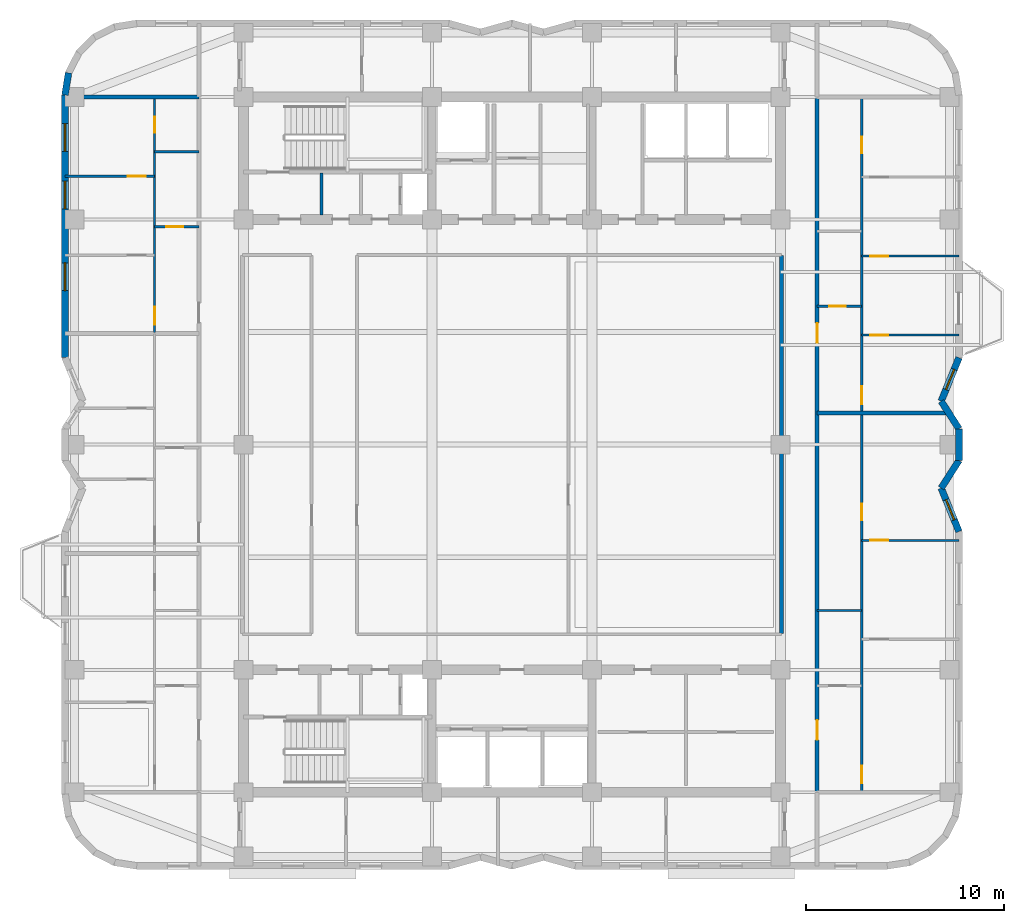
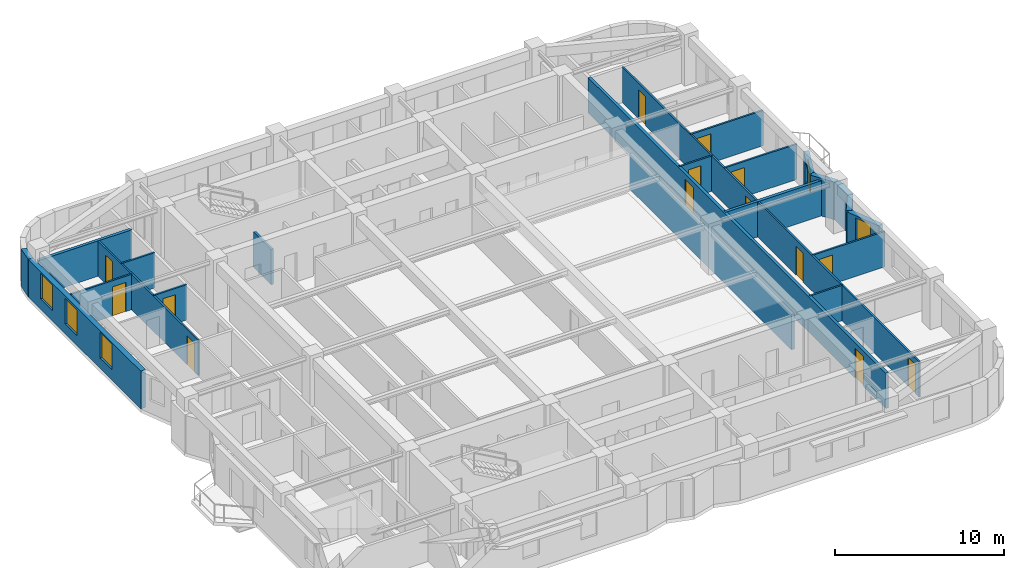
# One storey, part 5 of 9: 23 walls, 14 doors, 5 windows, 19 openings.
"""IFC4 building model written with IfcOpenShell, lengths in metres."""

from ifc_helpers import new_model, si_unit, direction, frame, frame_2d, origin, place, context, subcontext, project, spatial, rectangle, extrude, material, layer, layer_set, type_object, element, fill, save


model = new_model("IFC4")

# Units and contexts
model_context = context("Model", 3, precision=1e-05, world=origin(), true_north=direction((0.0, 1.0)))
body_context = subcontext(model_context, "Body", "Model", "MODEL_VIEW")
ifc_project = project(units=[si_unit("LENGTHUNIT", "METRE"), si_unit("AREAUNIT", "SQUARE_METRE"), si_unit("VOLUMEUNIT", "CUBIC_METRE"), si_unit("PLANEANGLEUNIT", "RADIAN"), si_unit("MASSUNIT", "GRAM", prefix="KILO")], contexts=[model_context])

# Site, building, storey
site_placement = place(None, origin())
site = spatial("IfcSite", under=ifc_project, at=site_placement, CompositionType="ELEMENT")
building_placement = place(site_placement, origin())
building = spatial("IfcBuilding", under=site, at=building_placement, Name="Svetorya Sky Lyceum", CompositionType="ELEMENT")
storey_placement = place(building_placement, frame((0.0, 0.0, 155.199951171875)))
storey = spatial("IfcBuildingStorey", under=building, at=storey_placement, Name="L38", CompositionType="ELEMENT", Elevation=155.199951171875)

# Wall, opening, window
ifc_material_1 = material(Name="Putilovo limestone rainscreen on autoclaved cellular masonry", Category="masonry")
ifc_layer_1 = layer(ifc_material_1, 0.340087890625)
ifc_layer_set_1 = layer_set([ifc_layer_1], Name="Putilovo limestone rainscreen on autoclaved cellular masonry")
wall_type_1 = type_object("IfcWallType", Name="WL-EXT-340", PredefinedType="SOLIDWALL", material=ifc_layer_set_1)
wall_1_placement = place(storey_placement, frame((61.830078125, 23.800048828125, 0.0), z_axis=(0.0, 0.0, 1.0), x_axis=(-0.378692835005, 0.925522412865, 0.0)))
wall_1 = element("IfcWall", 1, at=wall_1_placement, inside=storey, type_object=wall_type_1, Name="L38 Limestone Exterior Wall 18M", PredefinedType="SOLIDWALL", context=body_context, shape_type="SweptSolid", body=[
    extrude(rectangle(XDim=2.376953125, YDim=0.340087890625, at=frame_2d((1.1884765625, 0.0))), origin(), (0.0, 0.0, 1.0), 2.719970703125),
])
opening_1_placement = place(wall_1_placement, frame((0.638427734375, 0.0, 0.909912109375)))
opening_1 = element("IfcOpeningElement", 2, at=opening_1_placement, cuts=wall_1, Name="Opening W-R3", PredefinedType="OPENING", context=body_context, shape_type="SweptSolid", body=[
    extrude(rectangle(XDim=1.10009765625, YDim=1.64990234375, at=frame_2d((0.550048828125, 0.824951171875))), frame((0.0, 0.179931640625, 0.0), z_axis=(0.0, -1.0, 0.0), x_axis=(1.0, 0.0, 0.0)), (0.0, 0.0, 1.0), 0.360107421875),
])
ifc_material_2 = material(Name="Thermally broken aluminium frame with triple low-E glazing", Category="aluminium")
window_type_1 = type_object("IfcWindowType", Name="WN-RES-110", PartitioningType="SINGLE_PANEL", PredefinedType="WINDOW", material=ifc_material_2)
window_1_placement = place(opening_1_placement, origin())
window_1 = element("IfcWindow", 3, at=window_1_placement, inside=storey, type_object=window_type_1, Name="L38 Facade Window W-R3.18M.1", OverallHeight=1.64990234375, OverallWidth=1.10009765625, PartitioningType="SINGLE_PANEL", PredefinedType="WINDOW", context=body_context, shape_type="SweptSolid", body=[
    extrude(rectangle(XDim=1.10009765625, YDim=1.64990234375, at=frame_2d((0.550048828125, 0.824951171875))), frame((0.0, 0.030029296875, 0.0), z_axis=(0.0, -1.0, 0.0), x_axis=(1.0, 0.0, 0.0)), (0.0, 0.0, 1.0), 0.06005859375),
])
fill(opening_1, window_1)

# Walls
wall_2_placement = place(storey_placement, frame((60.929931640625, 26.0, 0.0), z_axis=(0.0, 0.0, 1.0), x_axis=(0.540846555596, 0.841121277403, 0.0)))
element("IfcWall", 4, at=wall_2_placement, inside=storey, type_object=wall_type_1, Name="L38 Limestone Exterior Wall 19M", PredefinedType="SOLIDWALL", context=body_context, shape_type="SweptSolid", body=[
    extrude(rectangle(XDim=1.664306640625, YDim=0.340087890625, at=frame_2d((0.83203125, 0.0))), origin(), (0.0, 0.0, 1.0), 2.719970703125),
])
wall_3_placement = place(storey_placement, frame((61.830078125, 27.39990234375, 0.0), z_axis=(0.0, 0.0, 1.0), x_axis=(0.0, 1.0, 0.0)))
element("IfcWall", 5, at=wall_3_placement, inside=storey, type_object=wall_type_1, Name="L38 Limestone Exterior Wall 20M", PredefinedType="SOLIDWALL", context=body_context, shape_type="SweptSolid", body=[
    extrude(rectangle(XDim=1.60009765625, YDim=0.340087890625, at=frame_2d((0.800048828125, 0.0))), origin(), (0.0, 0.0, 1.0), 2.719970703125),
])
wall_4_placement = place(storey_placement, frame((61.830078125, 29.0, 0.0), z_axis=(0.0, 0.0, 1.0), x_axis=(-0.540846555596, 0.841121277403, 0.0)))
element("IfcWall", 6, at=wall_4_placement, inside=storey, type_object=wall_type_1, Name="L38 Limestone Exterior Wall 21M", PredefinedType="SOLIDWALL", context=body_context, shape_type="SweptSolid", body=[
    extrude(rectangle(XDim=1.664306640625, YDim=0.340087890625, at=frame_2d((0.83203125, 0.0))), origin(), (0.0, 0.0, 1.0), 2.719970703125),
])

# Wall, opening, window
wall_5_placement = place(storey_placement, frame((60.929931640625, 30.39990234375, 0.0), z_axis=(0.0, 0.0, 1.0), x_axis=(0.378656839344, 0.925537140269, 0.0)))
wall_5 = element("IfcWall", 7, at=wall_5_placement, inside=storey, type_object=wall_type_1, Name="L38 Limestone Exterior Wall 22M", PredefinedType="SOLIDWALL", context=body_context, shape_type="SweptSolid", body=[
    extrude(rectangle(XDim=2.377197265625, YDim=0.340087890625, at=frame_2d((1.1884765625, 0.0))), origin(), (0.0, 0.0, 1.0), 2.719970703125),
])
opening_2_placement = place(wall_5_placement, frame((0.638427734375, 0.0, 0.909912109375)))
opening_2 = element("IfcOpeningElement", 8, at=opening_2_placement, cuts=wall_5, Name="Opening W-R3", PredefinedType="OPENING", context=body_context, shape_type="SweptSolid", body=[
    extrude(rectangle(XDim=1.10009765625, YDim=1.64990234375, at=frame_2d((0.550048828125, 0.824951171875))), frame((0.0, 0.179931640625, 0.0), z_axis=(0.0, -1.0, 0.0), x_axis=(1.0, 0.0, 0.0)), (0.0, 0.0, 1.0), 0.360107421875),
])
window_2_placement = place(opening_2_placement, origin())
window_2 = element("IfcWindow", 9, at=window_2_placement, inside=storey, type_object=window_type_1, Name="L38 Facade Window W-R3.22M.1", OverallHeight=1.64990234375, OverallWidth=1.10009765625, PartitioningType="SINGLE_PANEL", PredefinedType="WINDOW", context=body_context, shape_type="SweptSolid", body=[
    extrude(rectangle(XDim=1.10009765625, YDim=1.64990234375, at=frame_2d((0.550048828125, 0.824951171875))), frame((0.0, 0.030029296875, 0.0), z_axis=(0.0, -1.0, 0.0), x_axis=(1.0, 0.0, 0.0)), (0.0, 0.0, 1.0), 0.06005859375),
])
fill(opening_2, window_2)

# Wall
wall_6_placement = place(storey_placement, frame((16.747802734375, 47.021728515625, 0.0), z_axis=(0.0, 0.0, 1.0), x_axis=(-0.156481329164, -0.987680916907, 0.0)))
element("IfcWall", 10, at=wall_6_placement, inside=storey, type_object=wall_type_1, Name="L38 Limestone Exterior Wall 39M", PredefinedType="SOLIDWALL", context=body_context, shape_type="SweptSolid", body=[
    extrude(rectangle(XDim=1.1357421875, YDim=0.340087890625, at=frame_2d((0.56787109375, 0.0))), origin(), (0.0, 0.0, 1.0), 2.719970703125),
])

# Wall, openings, windows
wall_7_placement = place(storey_placement, frame((16.570068359375, 45.89990234375, 0.0), z_axis=(0.0, 0.0, 1.0), x_axis=(0.0, -1.0, 0.0)))
wall_7 = element("IfcWall", 11, at=wall_7_placement, inside=storey, type_object=wall_type_1, Name="L38 Limestone Exterior Wall 40M", PredefinedType="SOLIDWALL", context=body_context, shape_type="SweptSolid", body=[
    extrude(rectangle(XDim=13.2998046875, YDim=0.340087890625, at=frame_2d((6.64990234375, 0.0))), origin(), (0.0, 0.0, 1.0), 2.719970703125),
])
opening_3_placement = place(wall_7_placement, frame((1.449951171875, 0.0, 0.75)))
opening_3 = element("IfcOpeningElement", 12, at=opening_3_placement, cuts=wall_7, Name="Opening W-R2", PredefinedType="OPENING", context=body_context, shape_type="SweptSolid", body=[
    extrude(rectangle(XDim=1.39990234375, YDim=1.85009765625, at=frame_2d((0.699951171875, 0.925048828125))), frame((0.0, 0.179931640625, 0.0), z_axis=(0.0, -1.0, 0.0), x_axis=(1.0, 0.0, 0.0)), (0.0, 0.0, 1.0), 0.360107421875),
])
opening_4_placement = place(wall_7_placement, frame((4.360107421875, 0.0, 0.7099609375)))
opening_4 = element("IfcOpeningElement", 13, at=opening_4_placement, cuts=wall_7, Name="Opening W-R2", PredefinedType="OPENING", context=body_context, shape_type="SweptSolid", body=[
    extrude(rectangle(XDim=1.39990234375, YDim=1.85009765625, at=frame_2d((0.699951171875, 0.925048828125))), frame((0.0, 0.179931640625, 0.0), z_axis=(0.0, -1.0, 0.0), x_axis=(1.0, 0.0, 0.0)), (0.0, 0.0, 1.0), 0.360107421875),
])
opening_5_placement = place(wall_7_placement, frame((8.5, 0.0, 0.75)))
opening_5 = element("IfcOpeningElement", 14, at=opening_5_placement, cuts=wall_7, Name="Opening W-R2", PredefinedType="OPENING", context=body_context, shape_type="SweptSolid", body=[
    extrude(rectangle(XDim=1.39990234375, YDim=1.85009765625, at=frame_2d((0.699951171875, 0.925048828125))), frame((0.0, 0.179931640625, 0.0), z_axis=(0.0, -1.0, 0.0), x_axis=(1.0, 0.0, 0.0)), (0.0, 0.0, 1.0), 0.360107421875),
])
window_type_2 = type_object("IfcWindowType", Name="WN-RES-140", PartitioningType="SINGLE_PANEL", PredefinedType="WINDOW", material=ifc_material_2)
window_3_placement = place(opening_3_placement, origin())
window_3 = element("IfcWindow", 15, at=window_3_placement, inside=storey, type_object=window_type_2, Name="L38 Facade Window W-R2.40M.1", OverallHeight=1.85009765625, OverallWidth=1.39990234375, PartitioningType="SINGLE_PANEL", PredefinedType="WINDOW", context=body_context, shape_type="SweptSolid", body=[
    extrude(rectangle(XDim=1.39990234375, YDim=1.85009765625, at=frame_2d((0.699951171875, 0.925048828125))), frame((0.0, 0.030029296875, 0.0), z_axis=(0.0, -1.0, 0.0), x_axis=(1.0, 0.0, 0.0)), (0.0, 0.0, 1.0), 0.06005859375),
])
fill(opening_3, window_3)
window_4_placement = place(opening_4_placement, origin())
window_4 = element("IfcWindow", 16, at=window_4_placement, inside=storey, type_object=window_type_2, Name="L38 Facade Window W-R2.40M.3", OverallHeight=1.85009765625, OverallWidth=1.39990234375, PartitioningType="SINGLE_PANEL", PredefinedType="WINDOW", context=body_context, shape_type="SweptSolid", body=[
    extrude(rectangle(XDim=1.39990234375, YDim=1.85009765625, at=frame_2d((0.699951171875, 0.925048828125))), frame((0.0, 0.030029296875, 0.0), z_axis=(0.0, -1.0, 0.0), x_axis=(1.0, 0.0, 0.0)), (0.0, 0.0, 1.0), 0.06005859375),
])
fill(opening_4, window_4)
window_5_placement = place(opening_5_placement, origin())
window_5 = element("IfcWindow", 17, at=window_5_placement, inside=storey, type_object=window_type_2, Name="L38 Facade Window W-R2.40M.2", OverallHeight=1.85009765625, OverallWidth=1.39990234375, PartitioningType="SINGLE_PANEL", PredefinedType="WINDOW", context=body_context, shape_type="SweptSolid", body=[
    extrude(rectangle(XDim=1.39990234375, YDim=1.85009765625, at=frame_2d((0.699951171875, 0.925048828125))), frame((0.0, 0.030029296875, 0.0), z_axis=(0.0, -1.0, 0.0), x_axis=(1.0, 0.0, 0.0)), (0.0, 0.0, 1.0), 0.06005859375),
])
fill(opening_5, window_5)

# Wall, opening, door
ifc_material_3 = material(Name="Twin-stud galvanized framing with double fireboard", Category="gypsum")
ifc_layer_2 = layer(ifc_material_3, 0.1201171875)
ifc_layer_set_2 = layer_set([ifc_layer_2], Name="Twin-stud galvanized framing with double fireboard")
wall_type_2 = type_object("IfcWallType", Name="WL-PART-120", PredefinedType="PARTITIONING", material=ifc_layer_set_2)
wall_8_placement = place(storey_placement, frame((21.10009765625, 39.23193359375, 0.0), z_axis=(0.0, 0.0, 1.0), x_axis=(1.0, 0.0, 0.0)))
wall_8 = element("IfcWall", 18, at=wall_8_placement, inside=storey, type_object=wall_type_2, Name="L38 Interior Partition W3-WH1", PredefinedType="PARTITIONING", context=body_context, shape_type="SweptSolid", body=[
    extrude(rectangle(XDim=2.25, YDim=0.1201171875, at=frame_2d((1.125, 0.0))), origin(), (0.0, 0.0, 1.0), 2.550048828125),
])
opening_6_placement = place(wall_8_placement, frame((0.60009765625, 0.0, 0.0)))
opening_6 = element("IfcOpeningElement", 19, at=opening_6_placement, cuts=wall_8, Name="Opening D-BT1", PredefinedType="OPENING", context=body_context, shape_type="SweptSolid", body=[
    extrude(rectangle(XDim=0.85009765625, YDim=2.10009765625, at=frame_2d((0.425048828125, 1.050048828125))), frame((0.0, 0.070068359375, 0.0), z_axis=(0.0, -1.0, 0.0), x_axis=(1.0, 0.0, 0.0)), (0.0, 0.0, 1.0), 0.14013671875),
])
ifc_material_4 = material(Name="Moisture-resistant laminate bathroom door")
door_type_1 = type_object("IfcDoorType", Name="DR-WET-850", OperationType="SINGLE_SWING_LEFT", PredefinedType="DOOR", material=ifc_material_4)
door_1_placement = place(opening_6_placement, origin())
door_1 = element("IfcDoor", 20, at=door_1_placement, inside=storey, type_object=door_type_1, Name="Apartment W3 Bathroom Door", OperationType="SINGLE_SWING_LEFT", OverallHeight=2.10009765625, OverallWidth=0.85009765625, PredefinedType="DOOR", context=body_context, shape_type="SweptSolid", body=[
    extrude(rectangle(XDim=0.85009765625, YDim=2.10009765625, at=frame_2d((0.425048828125, 1.050048828125))), frame((0.0, 0.02490234375, 0.0), z_axis=(0.0, -1.0, 0.0), x_axis=(1.0, 0.0, 0.0)), (0.0, 0.0, 1.0), 0.050048828125),
])
fill(opening_6, door_1)

# Wall
wall_9_placement = place(storey_placement, frame((21.10009765625, 43.031982421875, 0.0), z_axis=(0.0, 0.0, 1.0), x_axis=(1.0, 0.0, 0.0)))
element("IfcWall", 21, at=wall_9_placement, inside=storey, type_object=wall_type_2, Name="L38 Interior Partition W3-WH2", PredefinedType="PARTITIONING", context=body_context, shape_type="SweptSolid", body=[
    extrude(rectangle(XDim=2.25, YDim=0.1201171875, at=frame_2d((1.125, 0.0))), origin(), (0.0, 0.0, 1.0), 2.550048828125),
])

# Wall, opening, door
wall_10_placement = place(storey_placement, frame((16.570068359375, 41.781982421875, 0.0), z_axis=(0.0, 0.0, 1.0), x_axis=(1.0, 0.0, 0.0)))
wall_10 = element("IfcWall", 22, at=wall_10_placement, inside=storey, type_object=wall_type_2, Name="L38 Interior Partition W3-WL2", PredefinedType="PARTITIONING", context=body_context, shape_type="SweptSolid", body=[
    extrude(rectangle(XDim=4.530029296875, YDim=0.1201171875, at=frame_2d((2.26513671875, 0.0))), origin(), (0.0, 0.0, 1.0), 2.550048828125),
])
opening_7_placement = place(wall_10_placement, frame((3.179931640625, 0.0, 0.0)))
opening_7 = element("IfcOpeningElement", 23, at=opening_7_placement, cuts=wall_10, Name="Opening D-RM1", PredefinedType="OPENING", context=body_context, shape_type="SweptSolid", body=[
    extrude(rectangle(XDim=0.89990234375, YDim=2.10009765625, at=frame_2d((0.449951171875, 1.050048828125))), frame((0.0, 0.070068359375, 0.0), z_axis=(0.0, -1.0, 0.0), x_axis=(1.0, 0.0, 0.0)), (0.0, 0.0, 1.0), 0.14013671875),
])
ifc_material_5 = material(Name="Lacquered birch veneer internal door")
door_type_2 = type_object("IfcDoorType", Name="DR-INT-900", OperationType="SINGLE_SWING_LEFT", PredefinedType="DOOR", material=ifc_material_5)
door_2_placement = place(opening_7_placement, origin())
door_2 = element("IfcDoor", 24, at=door_2_placement, inside=storey, type_object=door_type_2, Name="Apartment W3 Bedroom 2 Door", OperationType="SINGLE_SWING_RIGHT", OverallHeight=2.10009765625, OverallWidth=0.89990234375, PredefinedType="DOOR", context=body_context, shape_type="SweptSolid", body=[
    extrude(rectangle(XDim=0.89990234375, YDim=2.10009765625, at=frame_2d((0.449951171875, 1.050048828125))), frame((0.0, 0.02490234375, 0.0), z_axis=(0.0, -1.0, 0.0), x_axis=(1.0, 0.0, 0.0)), (0.0, 0.0, 1.0), 0.050048828125),
])
fill(opening_7, door_2)

# Wall, openings, doors
wall_11_placement = place(storey_placement, frame((21.10009765625, 33.8720703125, 0.0), z_axis=(0.0, 0.0, 1.0), x_axis=(0.0, 1.0, 0.0)))
wall_11 = element("IfcWall", 25, at=wall_11_placement, inside=storey, type_object=wall_type_2, Name="L38 Interior Partition W3-WV", PredefinedType="PARTITIONING", context=body_context, shape_type="SweptSolid", body=[
    extrude(rectangle(XDim=11.887939453125, YDim=0.1201171875, at=frame_2d((5.94384765625, 0.0))), origin(), (0.0, 0.0, 1.0), 2.550048828125),
])
opening_8_placement = place(wall_11_placement, frame((0.409912109375, 0.0, 0.0)))
opening_8 = element("IfcOpeningElement", 26, at=opening_8_placement, cuts=wall_11, Name="Opening D-RM1", PredefinedType="OPENING", context=body_context, shape_type="SweptSolid", body=[
    extrude(rectangle(XDim=0.89990234375, YDim=2.10009765625, at=frame_2d((0.449951171875, 1.050048828125))), frame((0.0, 0.070068359375, 0.0), z_axis=(0.0, -1.0, 0.0), x_axis=(1.0, 0.0, 0.0)), (0.0, 0.0, 1.0), 0.14013671875),
])
opening_9_placement = place(wall_11_placement, frame((10.118896484375, 0.0, 0.0)))
opening_9 = element("IfcOpeningElement", 27, at=opening_9_placement, cuts=wall_11, Name="Opening D-BT2", PredefinedType="OPENING", context=body_context, shape_type="SweptSolid", body=[
    extrude(rectangle(XDim=0.820068359375, YDim=2.080078125, at=frame_2d((0.41015625, 1.0400390625))), frame((0.0, 0.070068359375, 0.0), z_axis=(0.0, -1.0, 0.0), x_axis=(1.0, 0.0, 0.0)), (0.0, 0.0, 1.0), 0.14013671875),
])
door_3_placement = place(opening_8_placement, origin())
door_3 = element("IfcDoor", 28, at=door_3_placement, inside=storey, type_object=door_type_2, Name="Apartment W3 Living Door", OperationType="SINGLE_SWING_RIGHT", OverallHeight=2.10009765625, OverallWidth=0.89990234375, PredefinedType="DOOR", context=body_context, shape_type="SweptSolid", body=[
    extrude(rectangle(XDim=0.89990234375, YDim=2.10009765625, at=frame_2d((0.449951171875, 1.050048828125))), frame((0.0, 0.02490234375, 0.0), z_axis=(0.0, -1.0, 0.0), x_axis=(1.0, 0.0, 0.0)), (0.0, 0.0, 1.0), 0.050048828125),
])
fill(opening_8, door_3)
ifc_material_6 = material(Name="Compact moisture-resistant laminate closet door")
door_type_3 = type_object("IfcDoorType", Name="DR-WET-820", OperationType="SINGLE_SWING_LEFT", PredefinedType="DOOR", material=ifc_material_6)
door_4_placement = place(opening_9_placement, origin())
door_4 = element("IfcDoor", 29, at=door_4_placement, inside=storey, type_object=door_type_3, Name="Apartment W3 Study Door", OperationType="SINGLE_SWING_LEFT", OverallHeight=2.080078125, OverallWidth=0.820068359375, PredefinedType="DOOR", context=body_context, shape_type="SweptSolid", body=[
    extrude(rectangle(XDim=0.820068359375, YDim=2.080078125, at=frame_2d((0.41015625, 1.0400390625))), frame((0.0, 0.02490234375, 0.0), z_axis=(0.0, -1.0, 0.0), x_axis=(1.0, 0.0, 0.0)), (0.0, 0.0, 1.0), 0.050048828125),
])
fill(opening_9, door_4)

# Wall
wall_12_placement = place(storey_placement, frame((54.64990234375, 19.800048828125, 0.0), z_axis=(0.0, 0.0, 1.0), x_axis=(1.0, 0.0, 0.0)))
element("IfcWall", 30, at=wall_12_placement, inside=storey, type_object=wall_type_2, Name="L38 Interior Partition E1-WH2", PredefinedType="PARTITIONING", context=body_context, shape_type="SweptSolid", body=[
    extrude(rectangle(XDim=2.25, YDim=0.1201171875, at=frame_2d((1.125, 0.0))), origin(), (0.0, 0.0, 1.0), 2.550048828125),
])

# Wall, opening, door
wall_13_placement = place(storey_placement, frame((56.89990234375, 23.35009765625, 0.0), z_axis=(0.0, 0.0, 1.0), x_axis=(1.0, 0.0, 0.0)))
wall_13 = element("IfcWall", 31, at=wall_13_placement, inside=storey, type_object=wall_type_2, Name="L38 Interior Partition E1-WL2", PredefinedType="PARTITIONING", context=body_context, shape_type="SweptSolid", body=[
    extrude(rectangle(XDim=4.93017578125, YDim=0.1201171875, at=frame_2d((2.465087890625, 0.0))), origin(), (0.0, 0.0, 1.0), 2.550048828125),
])
opening_10_placement = place(wall_13_placement, frame((0.449951171875, 0.0, 0.0)))
opening_10 = element("IfcOpeningElement", 32, at=opening_10_placement, cuts=wall_13, Name="Opening D-RM1", PredefinedType="OPENING", context=body_context, shape_type="SweptSolid", body=[
    extrude(rectangle(XDim=0.89990234375, YDim=2.10009765625, at=frame_2d((0.449951171875, 1.050048828125))), frame((0.0, 0.070068359375, 0.0), z_axis=(0.0, -1.0, 0.0), x_axis=(1.0, 0.0, 0.0)), (0.0, 0.0, 1.0), 0.14013671875),
])
door_5_placement = place(opening_10_placement, origin())
door_5 = element("IfcDoor", 33, at=door_5_placement, inside=storey, type_object=door_type_2, Name="Apartment E1 Bedroom 2 Door", OperationType="SINGLE_SWING_LEFT", OverallHeight=2.10009765625, OverallWidth=0.89990234375, PredefinedType="DOOR", context=body_context, shape_type="SweptSolid", body=[
    extrude(rectangle(XDim=0.89990234375, YDim=2.10009765625, at=frame_2d((0.449951171875, 1.050048828125))), frame((0.0, 0.02490234375, 0.0), z_axis=(0.0, -1.0, 0.0), x_axis=(1.0, 0.0, 0.0)), (0.0, 0.0, 1.0), 0.050048828125),
])
fill(opening_10, door_5)

# Wall, openings, doors
wall_14_placement = place(storey_placement, frame((56.89990234375, 10.639892578125, 0.0), z_axis=(0.0, 0.0, 1.0), x_axis=(0.0, 1.0, 0.0)))
wall_14 = element("IfcWall", 34, at=wall_14_placement, inside=storey, type_object=wall_type_2, Name="L38 Interior Partition E1-WV", PredefinedType="PARTITIONING", context=body_context, shape_type="SweptSolid", body=[
    extrude(rectangle(XDim=19.1201171875, YDim=0.1201171875, at=frame_2d((9.56005859375, 0.0))), origin(), (0.0, 0.0, 1.0), 2.550048828125),
])
opening_11_placement = place(wall_14_placement, frame((0.409912109375, 0.0, 0.0)))
opening_11 = element("IfcOpeningElement", 35, at=opening_11_placement, cuts=wall_14, Name="Opening D-RM1", PredefinedType="OPENING", context=body_context, shape_type="SweptSolid", body=[
    extrude(rectangle(XDim=0.89990234375, YDim=2.10009765625, at=frame_2d((0.449951171875, 1.050048828125))), frame((0.0, 0.070068359375, 0.0), z_axis=(0.0, -1.0, 0.0), x_axis=(1.0, 0.0, 0.0)), (0.0, 0.0, 1.0), 0.14013671875),
])
opening_12_placement = place(wall_14_placement, frame((13.735107421875, 0.0, 0.0)))
opening_12 = element("IfcOpeningElement", 36, at=opening_12_placement, cuts=wall_14, Name="Opening D-BT2", PredefinedType="OPENING", context=body_context, shape_type="SweptSolid", body=[
    extrude(rectangle(XDim=0.820068359375, YDim=2.080078125, at=frame_2d((0.41015625, 1.0400390625))), frame((0.0, 0.070068359375, 0.0), z_axis=(0.0, -1.0, 0.0), x_axis=(1.0, 0.0, 0.0)), (0.0, 0.0, 1.0), 0.14013671875),
])
door_6_placement = place(opening_11_placement, origin())
door_6 = element("IfcDoor", 37, at=door_6_placement, inside=storey, type_object=door_type_2, Name="Apartment E1 Living Door", OperationType="SINGLE_SWING_LEFT", OverallHeight=2.10009765625, OverallWidth=0.89990234375, PredefinedType="DOOR", context=body_context, shape_type="SweptSolid", body=[
    extrude(rectangle(XDim=0.89990234375, YDim=2.10009765625, at=frame_2d((0.449951171875, 1.050048828125))), frame((0.0, 0.02490234375, 0.0), z_axis=(0.0, -1.0, 0.0), x_axis=(1.0, 0.0, 0.0)), (0.0, 0.0, 1.0), 0.050048828125),
])
fill(opening_11, door_6)
door_7_placement = place(opening_12_placement, origin())
door_7 = element("IfcDoor", 38, at=door_7_placement, inside=storey, type_object=door_type_3, Name="Apartment E1 Study Door", OperationType="SINGLE_SWING_RIGHT", OverallHeight=2.080078125, OverallWidth=0.820068359375, PredefinedType="DOOR", context=body_context, shape_type="SweptSolid", body=[
    extrude(rectangle(XDim=0.820068359375, YDim=2.080078125, at=frame_2d((0.41015625, 1.0400390625))), frame((0.0, 0.02490234375, 0.0), z_axis=(0.0, -1.0, 0.0), x_axis=(1.0, 0.0, 0.0)), (0.0, 0.0, 1.0), 0.050048828125),
])
fill(opening_12, door_7)

# Wall, opening, door
wall_15_placement = place(storey_placement, frame((54.64990234375, 35.199951171875, 0.0), z_axis=(0.0, 0.0, 1.0), x_axis=(1.0, 0.0, 0.0)))
wall_15 = element("IfcWall", 39, at=wall_15_placement, inside=storey, type_object=wall_type_2, Name="L38 Interior Partition E2-WH1", PredefinedType="PARTITIONING", context=body_context, shape_type="SweptSolid", body=[
    extrude(rectangle(XDim=2.25, YDim=0.1201171875, at=frame_2d((1.125, 0.0))), origin(), (0.0, 0.0, 1.0), 2.550048828125),
])
opening_13_placement = place(wall_15_placement, frame((0.60009765625, 0.0, 0.0)))
opening_13 = element("IfcOpeningElement", 40, at=opening_13_placement, cuts=wall_15, Name="Opening D-BT1", PredefinedType="OPENING", context=body_context, shape_type="SweptSolid", body=[
    extrude(rectangle(XDim=0.85009765625, YDim=2.10009765625, at=frame_2d((0.425048828125, 1.050048828125))), frame((0.0, 0.070068359375, 0.0), z_axis=(0.0, -1.0, 0.0), x_axis=(1.0, 0.0, 0.0)), (0.0, 0.0, 1.0), 0.14013671875),
])
door_8_placement = place(opening_13_placement, origin())
door_8 = element("IfcDoor", 41, at=door_8_placement, inside=storey, type_object=door_type_1, Name="Apartment E2 Bathroom Door", OperationType="SINGLE_SWING_LEFT", OverallHeight=2.10009765625, OverallWidth=0.85009765625, PredefinedType="DOOR", context=body_context, shape_type="SweptSolid", body=[
    extrude(rectangle(XDim=0.85009765625, YDim=2.10009765625, at=frame_2d((0.425048828125, 1.050048828125))), frame((0.0, 0.02490234375, 0.0), z_axis=(0.0, -1.0, 0.0), x_axis=(1.0, 0.0, 0.0)), (0.0, 0.0, 1.0), 0.050048828125),
])
fill(opening_13, door_8)

wall_16_placement = place(storey_placement, frame((56.89990234375, 33.75, 0.0), z_axis=(0.0, 0.0, 1.0), x_axis=(1.0, 0.0, 0.0)))
wall_16 = element("IfcWall", 42, at=wall_16_placement, inside=storey, type_object=wall_type_2, Name="L38 Interior Partition E2-WL1", PredefinedType="PARTITIONING", context=body_context, shape_type="SweptSolid", body=[
    extrude(rectangle(XDim=4.93017578125, YDim=0.1201171875, at=frame_2d((2.465087890625, 0.0))), origin(), (0.0, 0.0, 1.0), 2.550048828125),
])
opening_14_placement = place(wall_16_placement, frame((0.449951171875, 0.0, 0.0)))
opening_14 = element("IfcOpeningElement", 43, at=opening_14_placement, cuts=wall_16, Name="Opening D-RM1", PredefinedType="OPENING", context=body_context, shape_type="SweptSolid", body=[
    extrude(rectangle(XDim=0.89990234375, YDim=2.10009765625, at=frame_2d((0.449951171875, 1.050048828125))), frame((0.0, 0.070068359375, 0.0), z_axis=(0.0, -1.0, 0.0), x_axis=(1.0, 0.0, 0.0)), (0.0, 0.0, 1.0), 0.14013671875),
])
door_9_placement = place(opening_14_placement, origin())
door_9 = element("IfcDoor", 44, at=door_9_placement, inside=storey, type_object=door_type_2, Name="Apartment E2 Master Bedroom Door", OperationType="SINGLE_SWING_LEFT", OverallHeight=2.10009765625, OverallWidth=0.89990234375, PredefinedType="DOOR", context=body_context, shape_type="SweptSolid", body=[
    extrude(rectangle(XDim=0.89990234375, YDim=2.10009765625, at=frame_2d((0.449951171875, 1.050048828125))), frame((0.0, 0.02490234375, 0.0), z_axis=(0.0, -1.0, 0.0), x_axis=(1.0, 0.0, 0.0)), (0.0, 0.0, 1.0), 0.050048828125),
])
fill(opening_14, door_9)

wall_17_placement = place(storey_placement, frame((56.89990234375, 37.75, 0.0), z_axis=(0.0, 0.0, 1.0), x_axis=(1.0, 0.0, 0.0)))
wall_17 = element("IfcWall", 45, at=wall_17_placement, inside=storey, type_object=wall_type_2, Name="L38 Interior Partition E2-WL2", PredefinedType="PARTITIONING", context=body_context, shape_type="SweptSolid", body=[
    extrude(rectangle(XDim=4.93017578125, YDim=0.1201171875, at=frame_2d((2.465087890625, 0.0))), origin(), (0.0, 0.0, 1.0), 2.550048828125),
])
opening_15_placement = place(wall_17_placement, frame((0.449951171875, 0.0, 0.0)))
opening_15 = element("IfcOpeningElement", 46, at=opening_15_placement, cuts=wall_17, Name="Opening D-RM1", PredefinedType="OPENING", context=body_context, shape_type="SweptSolid", body=[
    extrude(rectangle(XDim=0.89990234375, YDim=2.10009765625, at=frame_2d((0.449951171875, 1.050048828125))), frame((0.0, 0.070068359375, 0.0), z_axis=(0.0, -1.0, 0.0), x_axis=(1.0, 0.0, 0.0)), (0.0, 0.0, 1.0), 0.14013671875),
])
door_10_placement = place(opening_15_placement, origin())
door_10 = element("IfcDoor", 47, at=door_10_placement, inside=storey, type_object=door_type_2, Name="Apartment E2 Bedroom 2 Door", OperationType="SINGLE_SWING_RIGHT", OverallHeight=2.10009765625, OverallWidth=0.89990234375, PredefinedType="DOOR", context=body_context, shape_type="SweptSolid", body=[
    extrude(rectangle(XDim=0.89990234375, YDim=2.10009765625, at=frame_2d((0.449951171875, 1.050048828125))), frame((0.0, 0.02490234375, 0.0), z_axis=(0.0, -1.0, 0.0), x_axis=(1.0, 0.0, 0.0)), (0.0, 0.0, 1.0), 0.050048828125),
])
fill(opening_15, door_10)

# Wall, openings, doors
wall_18_placement = place(storey_placement, frame((56.89990234375, 29.840087890625, 0.0), z_axis=(0.0, 0.0, 1.0), x_axis=(0.0, 1.0, 0.0)))
wall_18 = element("IfcWall", 48, at=wall_18_placement, inside=storey, type_object=wall_type_2, Name="L38 Interior Partition E2-WV", PredefinedType="PARTITIONING", context=body_context, shape_type="SweptSolid", body=[
    extrude(rectangle(XDim=15.919921875, YDim=0.1201171875, at=frame_2d((7.9599609375, 0.0))), origin(), (0.0, 0.0, 1.0), 2.550048828125),
])
opening_16_placement = place(wall_18_placement, frame((0.409912109375, 0.0, 0.0)))
opening_16 = element("IfcOpeningElement", 49, at=opening_16_placement, cuts=wall_18, Name="Opening D-RM1", PredefinedType="OPENING", context=body_context, shape_type="SweptSolid", body=[
    extrude(rectangle(XDim=0.89990234375, YDim=2.10009765625, at=frame_2d((0.449951171875, 1.050048828125))), frame((0.0, 0.070068359375, 0.0), z_axis=(0.0, -1.0, 0.0), x_axis=(1.0, 0.0, 0.0)), (0.0, 0.0, 1.0), 0.14013671875),
])
opening_17_placement = place(wall_18_placement, frame((13.125, 0.0, 0.0)))
opening_17 = element("IfcOpeningElement", 50, at=opening_17_placement, cuts=wall_18, Name="Opening D-BT2", PredefinedType="OPENING", context=body_context, shape_type="SweptSolid", body=[
    extrude(rectangle(XDim=0.820068359375, YDim=2.080078125, at=frame_2d((0.41015625, 1.0400390625))), frame((0.0, 0.070068359375, 0.0), z_axis=(0.0, -1.0, 0.0), x_axis=(1.0, 0.0, 0.0)), (0.0, 0.0, 1.0), 0.14013671875),
])
door_11_placement = place(opening_16_placement, origin())
door_11 = element("IfcDoor", 51, at=door_11_placement, inside=storey, type_object=door_type_2, Name="Apartment E2 Living Door", OperationType="SINGLE_SWING_RIGHT", OverallHeight=2.10009765625, OverallWidth=0.89990234375, PredefinedType="DOOR", context=body_context, shape_type="SweptSolid", body=[
    extrude(rectangle(XDim=0.89990234375, YDim=2.10009765625, at=frame_2d((0.449951171875, 1.050048828125))), frame((0.0, 0.02490234375, 0.0), z_axis=(0.0, -1.0, 0.0), x_axis=(1.0, 0.0, 0.0)), (0.0, 0.0, 1.0), 0.050048828125),
])
fill(opening_16, door_11)
door_12_placement = place(opening_17_placement, origin())
door_12 = element("IfcDoor", 52, at=door_12_placement, inside=storey, type_object=door_type_3, Name="Apartment E2 Study Door", OperationType="SINGLE_SWING_LEFT", OverallHeight=2.080078125, OverallWidth=0.820068359375, PredefinedType="DOOR", context=body_context, shape_type="SweptSolid", body=[
    extrude(rectangle(XDim=0.820068359375, YDim=2.080078125, at=frame_2d((0.41015625, 1.0400390625))), frame((0.0, 0.02490234375, 0.0), z_axis=(0.0, -1.0, 0.0), x_axis=(1.0, 0.0, 0.0)), (0.0, 0.0, 1.0), 0.050048828125),
])
fill(opening_17, door_12)

# Walls
ifc_material_7 = material(Name="Autoclaved cellular masonry blockwork with acoustic render", Category="masonry")
ifc_layer_3 = layer(ifc_material_7, 0.14990234375)
ifc_layer_set_3 = layer_set([ifc_layer_3], Name="Autoclaved cellular masonry blockwork with acoustic render")
wall_type_3 = type_object("IfcWallType", Name="WL-PART-150", PredefinedType="PARTITIONING", material=ifc_layer_set_3)
wall_19_placement = place(storey_placement, frame((29.550048828125, 39.820068359375, 0.0), z_axis=(0.0, 0.0, 1.0), x_axis=(0.0, 1.0, 0.0)))
element("IfcWall", 53, at=wall_19_placement, inside=storey, type_object=wall_type_3, Name="L38 Interior Partition NC-NWD1", PredefinedType="PARTITIONING", context=body_context, shape_type="SweptSolid", body=[
    extrude(rectangle(XDim=2.1298828125, YDim=0.14990234375, at=frame_2d((1.06494140625, 0.0))), origin(), (0.0, 0.0, 1.0), 2.550048828125),
])
ifc_material_8 = material(Name="Autoclaved cellular masonry blockwork with gypsum plaster", Category="masonry")
ifc_layer_4 = layer(ifc_material_8, 0.199951171875)
ifc_layer_set_4 = layer_set([ifc_layer_4], Name="Autoclaved cellular masonry blockwork with gypsum plaster")
wall_type_4 = type_object("IfcWallType", Name="WL-PART-200", PredefinedType="PARTITIONING", material=ifc_layer_set_4)
wall_20_placement = place(storey_placement, frame((52.85009765625, 18.6298828125, 0.0), z_axis=(0.0, 0.0, 1.0), x_axis=(0.0, 1.0, 0.0)))
element("IfcWall", 54, at=wall_20_placement, inside=storey, type_object=wall_type_4, Name="L38 Interior Partition E-CEN-SEP", PredefinedType="PARTITIONING", context=body_context, shape_type="SweptSolid", body=[
    extrude(rectangle(XDim=19.14013671875, YDim=0.199951171875, at=frame_2d((9.570068359375, 0.0))), origin(), (0.0, 0.0, 1.0), 2.550048828125),
])
wall_21_placement = place(storey_placement, frame((16.989990234375, 45.800048828125, 0.0), z_axis=(0.0, 0.0, 1.0), x_axis=(1.0, 0.0, 0.0)))
element("IfcWall", 55, at=wall_21_placement, inside=storey, type_object=wall_type_4, Name="L38 Interior Partition W-CAP-N", PredefinedType="PARTITIONING", context=body_context, shape_type="SweptSolid", body=[
    extrude(rectangle(XDim=6.360107421875, YDim=0.199951171875, at=frame_2d((3.18017578125, 0.0))), origin(), (0.0, 0.0, 1.0), 2.550048828125),
])
wall_22_placement = place(storey_placement, frame((54.64990234375, 29.800048828125, 0.0), z_axis=(0.0, 0.0, 1.0), x_axis=(1.0, 0.0, 0.0)))
element("IfcWall", 56, at=wall_22_placement, inside=storey, type_object=wall_type_4, Name="L38 Interior Partition E-PARTY-1", PredefinedType="PARTITIONING", context=body_context, shape_type="SweptSolid", body=[
    extrude(rectangle(XDim=6.665771484375, YDim=0.199951171875, at=frame_2d((3.3330078125, 0.0))), origin(), (0.0, 0.0, 1.0), 2.550048828125),
])

# Wall, openings, doors
wall_23_placement = place(storey_placement, frame((54.64990234375, 10.60009765625, 0.0), z_axis=(0.0, 0.0, 1.0), x_axis=(0.0, 1.0, 0.0)))
wall_23 = element("IfcWall", 57, at=wall_23_placement, inside=storey, type_object=wall_type_4, Name="L38 Interior Partition E-CORRW", PredefinedType="PARTITIONING", context=body_context, shape_type="SweptSolid", body=[
    extrude(rectangle(XDim=35.199951171875, YDim=0.199951171875, at=frame_2d((17.60009765625, 0.0))), origin(), (0.0, 0.0, 1.0), 2.550048828125),
])
opening_18_placement = place(wall_23_placement, frame((2.64990234375, 0.0, 0.0)))
opening_18 = element("IfcOpeningElement", 58, at=opening_18_placement, cuts=wall_23, Name="Opening D-APT1", PredefinedType="OPENING", context=body_context, shape_type="SweptSolid", body=[
    extrude(rectangle(XDim=1.0, YDim=2.14990234375, at=frame_2d((0.5, 1.074951171875))), frame((0.0, 0.10986328125, 0.0), z_axis=(0.0, -1.0, 0.0), x_axis=(1.0, 0.0, 0.0)), (0.0, 0.0, 1.0), 0.219970703125),
])
opening_19_placement = place(wall_23_placement, frame((22.75, 0.0, 0.0)))
opening_19 = element("IfcOpeningElement", 59, at=opening_19_placement, cuts=wall_23, Name="Opening D-APT1", PredefinedType="OPENING", context=body_context, shape_type="SweptSolid", body=[
    extrude(rectangle(XDim=1.0, YDim=2.14990234375, at=frame_2d((0.5, 1.074951171875))), frame((0.0, 0.10986328125, 0.0), z_axis=(0.0, -1.0, 0.0), x_axis=(1.0, 0.0, 0.0)), (0.0, 0.0, 1.0), 0.219970703125),
])
ifc_material_9 = material(Name="Insulated oak-veneered apartment entrance door")
door_type_4 = type_object("IfcDoorType", Name="DR-APT-1000", OperationType="SINGLE_SWING_LEFT", PredefinedType="DOOR", material=ifc_material_9)
door_13_placement = place(opening_18_placement, origin())
door_13 = element("IfcDoor", 60, at=door_13_placement, inside=storey, type_object=door_type_4, Name="L38 Apartment E1 Entrance Door", OperationType="SINGLE_SWING_RIGHT", OverallHeight=2.14990234375, OverallWidth=1.0, PredefinedType="DOOR", context=body_context, shape_type="SweptSolid", body=[
    extrude(rectangle(XDim=1.0, YDim=2.14990234375, at=frame_2d((0.5, 1.074951171875))), frame((0.0, 0.02490234375, 0.0), z_axis=(0.0, -1.0, 0.0), x_axis=(1.0, 0.0, 0.0)), (0.0, 0.0, 1.0), 0.050048828125),
])
fill(opening_18, door_13)
door_14_placement = place(opening_19_placement, origin())
door_14 = element("IfcDoor", 61, at=door_14_placement, inside=storey, type_object=door_type_4, Name="L38 Apartment E2 Entrance Door", OperationType="SINGLE_SWING_LEFT", OverallHeight=2.14990234375, OverallWidth=1.0, PredefinedType="DOOR", context=body_context, shape_type="SweptSolid", body=[
    extrude(rectangle(XDim=1.0, YDim=2.14990234375, at=frame_2d((0.5, 1.074951171875))), frame((0.0, 0.02490234375, 0.0), z_axis=(0.0, -1.0, 0.0), x_axis=(1.0, 0.0, 0.0)), (0.0, 0.0, 1.0), 0.050048828125),
])
fill(opening_19, door_14)

save(model, "model.ifc")
